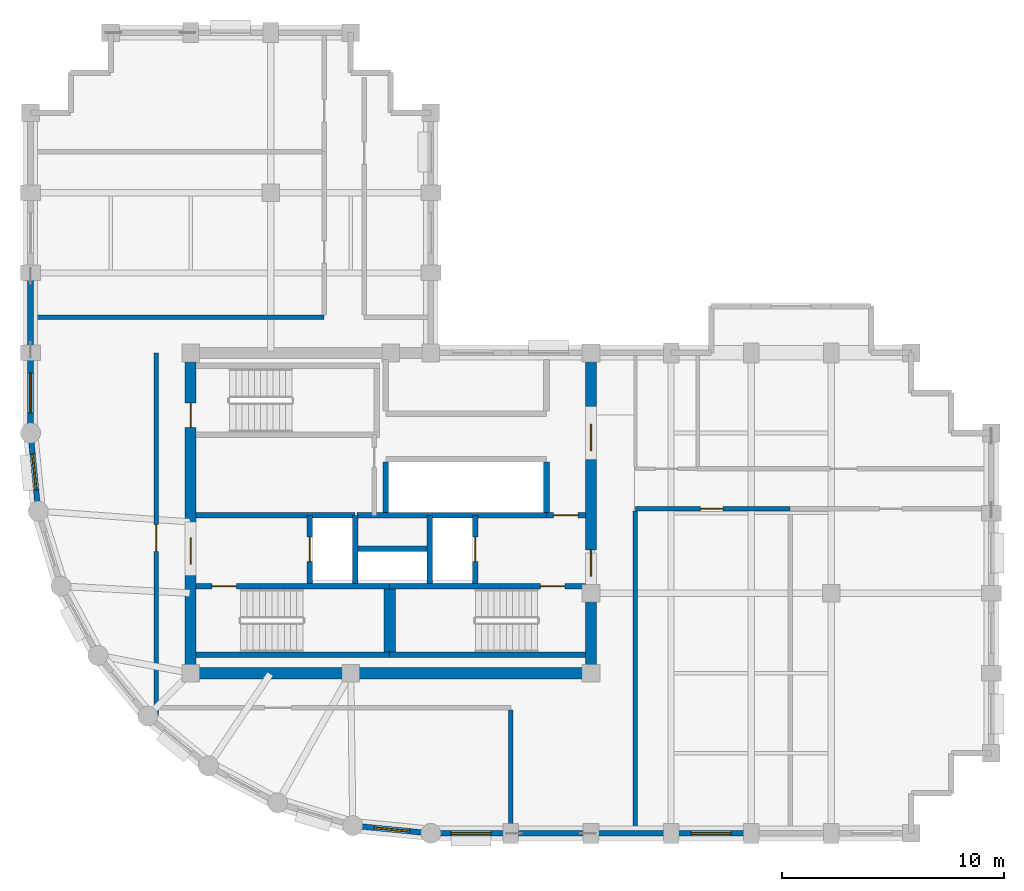
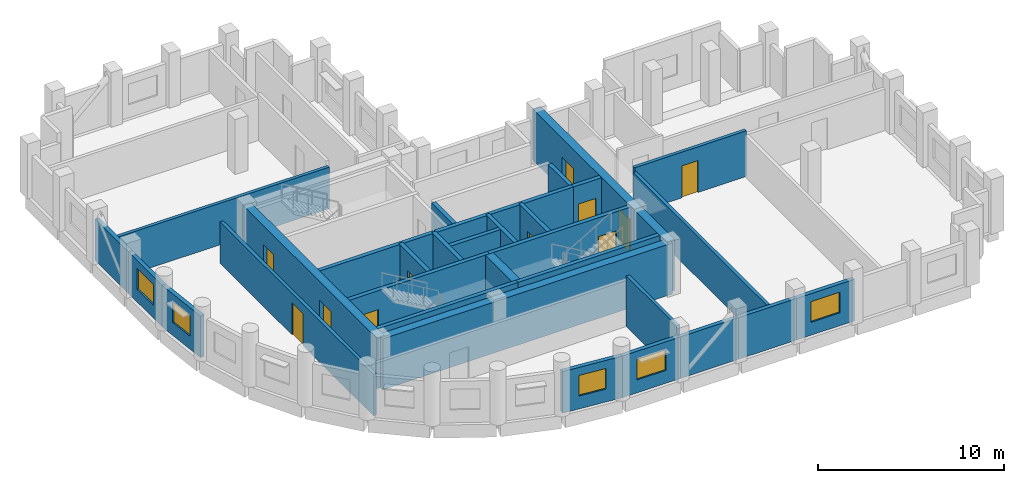
# One storey, part 3 of 7: 31 walls, 11 doors, 5 windows, 16 openings.
"""IFC4 building model written with IfcOpenShell, lengths in metres."""

from ifc_helpers import new_model, si_unit, direction, frame, frame_2d, origin, place, context, subcontext, project, spatial, rectangle, extrude, material, layer, layer_set, type_object, element, fill, save


model = new_model("IFC4")

# Units and contexts
model_context = context("Model", 3, precision=1e-05, world=origin(), true_north=direction((0.0, 1.0)))
body_context = subcontext(model_context, "Body", "Model", "MODEL_VIEW")
ifc_project = project(units=[si_unit("LENGTHUNIT", "METRE"), si_unit("AREAUNIT", "SQUARE_METRE"), si_unit("VOLUMEUNIT", "CUBIC_METRE"), si_unit("PLANEANGLEUNIT", "RADIAN"), si_unit("MASSUNIT", "GRAM", prefix="KILO")], contexts=[model_context])

# Site, building, storey
site_placement = place(None, origin())
site = spatial("IfcSite", under=ifc_project, at=site_placement, CompositionType="ELEMENT")
building_placement = place(site_placement, origin())
building = spatial("IfcBuilding", under=site, at=building_placement, Name="Solnavia Interchange Tower", CompositionType="ELEMENT")
storey_placement = place(building_placement, frame((0.0, 0.0, 213.800048828125)))
storey = spatial("IfcBuildingStorey", under=building, at=storey_placement, Name="L53", CompositionType="ELEMENT", Elevation=213.800048828125)

# Wall, opening, window
ifc_material_1 = material(Name="Concrete C40/50", Category="concrete")
ifc_layer_1 = layer(ifc_material_1, 0.25)
ifc_layer_set_1 = layer_set([ifc_layer_1], Name="Concrete C40/50")
wall_type_1 = type_object("IfcWallType", Name="Wall-ExtSpandrel-250", PredefinedType="STANDARD", material=ifc_layer_set_1)
wall_1_placement = place(storey_placement, frame((28.800048828125, 3.60009765625, 0.0), z_axis=(0.0, 0.0, 1.0), x_axis=(-1.0, 0.0, 0.0)))
wall_1 = element("IfcWall", 1, at=wall_1_placement, inside=storey, type_object=wall_type_1, Name="EXW-L53-01 Exterior precast spandrel wall", PredefinedType="STANDARD", context=body_context, shape_type="SweptSolid", body=[
    extrude(rectangle(XDim=3.60009765625, YDim=0.25, at=frame_2d((1.800048828125, 0.0))), origin(), (0.0, 0.0, 1.0), 2.72998046875),
])
opening_1_placement = place(wall_1_placement, frame((0.89990234375, 0.0, 0.85009765625)))
opening_1 = element("IfcOpeningElement", 2, at=opening_1_placement, cuts=wall_1, Name="Opening WIN-02", PredefinedType="OPENING", context=body_context, shape_type="SweptSolid", body=[
    extrude(rectangle(XDim=1.800048828125, YDim=1.35009765625, at=frame_2d((0.89990234375, 0.675048828125))), frame((0.0, 0.135009765625, 0.0), z_axis=(0.0, -1.0, 0.0), x_axis=(1.0, 0.0, 0.0)), (0.0, 0.0, 1.0), 0.27001953125),
])
ifc_material_2 = material(Name="Thermal-Break Aluminium & Low-E Glass", Category="aluminium")
window_type_1 = type_object("IfcWindowType", Name="Window-Ribbon-1800x1350", PartitioningType="SINGLE_PANEL", PredefinedType="WINDOW", material=ifc_material_2)
window_1_placement = place(opening_1_placement, origin())
window_1 = element("IfcWindow", 3, at=window_1_placement, inside=storey, type_object=window_type_1, Name="WIN-L53-01 Facade ribbon window", OverallHeight=1.35009765625, OverallWidth=1.800048828125, PartitioningType="SINGLE_PANEL", PredefinedType="WINDOW", context=body_context, shape_type="SweptSolid", body=[
    extrude(rectangle(XDim=1.800048828125, YDim=1.35009765625, at=frame_2d((0.89990234375, 0.675048828125))), frame((0.0, 0.030029296875, 0.0), z_axis=(0.0, -1.0, 0.0), x_axis=(1.0, 0.0, 0.0)), (0.0, 0.0, 1.0), 0.06005859375),
])
fill(opening_1, window_1)

# Walls
wall_2_placement = place(storey_placement, frame((32.39990234375, 3.60009765625, 0.0), z_axis=(0.0, 0.0, 1.0), x_axis=(-1.0, 0.0, 0.0)))
element("IfcWall", 4, at=wall_2_placement, inside=storey, type_object=wall_type_1, Name="EXW-L53-02 Exterior precast spandrel wall", PredefinedType="STANDARD", context=body_context, shape_type="SweptSolid", body=[
    extrude(rectangle(XDim=3.599853515625, YDim=0.25, at=frame_2d((1.7998046875, 0.0))), origin(), (0.0, 0.0, 1.0), 2.72998046875),
])
wall_3_placement = place(storey_placement, frame((36.0, 3.60009765625, 0.0), z_axis=(0.0, 0.0, 1.0), x_axis=(-1.0, 0.0, 0.0)))
element("IfcWall", 5, at=wall_3_placement, inside=storey, type_object=wall_type_1, Name="EXW-L53-03 Exterior precast spandrel wall", PredefinedType="STANDARD", context=body_context, shape_type="SweptSolid", body=[
    extrude(rectangle(XDim=3.60009765625, YDim=0.25, at=frame_2d((1.800048828125, 0.0))), origin(), (0.0, 0.0, 1.0), 2.72998046875),
])

# Wall, opening, window
wall_4_placement = place(storey_placement, frame((39.60009765625, 3.60009765625, 0.0), z_axis=(0.0, 0.0, 1.0), x_axis=(-1.0, 0.0, 0.0)))
wall_4 = element("IfcWall", 6, at=wall_4_placement, inside=storey, type_object=wall_type_1, Name="EXW-L53-04 Exterior precast spandrel wall", PredefinedType="STANDARD", context=body_context, shape_type="SweptSolid", body=[
    extrude(rectangle(XDim=3.60009765625, YDim=0.25, at=frame_2d((1.800048828125, 0.0))), origin(), (0.0, 0.0, 1.0), 2.72998046875),
])
opening_2_placement = place(wall_4_placement, frame((0.89990234375, 0.0, 0.85009765625)))
opening_2 = element("IfcOpeningElement", 7, at=opening_2_placement, cuts=wall_4, Name="Opening WIN-02", PredefinedType="OPENING", context=body_context, shape_type="SweptSolid", body=[
    extrude(rectangle(XDim=1.800048828125, YDim=1.35009765625, at=frame_2d((0.89990234375, 0.675048828125))), frame((0.0, 0.135009765625, 0.0), z_axis=(0.0, -1.0, 0.0), x_axis=(1.0, 0.0, 0.0)), (0.0, 0.0, 1.0), 0.27001953125),
])
window_2_placement = place(opening_2_placement, origin())
window_2 = element("IfcWindow", 8, at=window_2_placement, inside=storey, type_object=window_type_1, Name="WIN-L53-04 Facade ribbon window", OverallHeight=1.35009765625, OverallWidth=1.800048828125, PartitioningType="SINGLE_PANEL", PredefinedType="WINDOW", context=body_context, shape_type="SweptSolid", body=[
    extrude(rectangle(XDim=1.800048828125, YDim=1.35009765625, at=frame_2d((0.89990234375, 0.675048828125))), frame((0.0, 0.030029296875, 0.0), z_axis=(0.0, -1.0, 0.0), x_axis=(1.0, 0.0, 0.0)), (0.0, 0.0, 1.0), 0.06005859375),
])
fill(opening_2, window_2)

# Wall
wall_5_placement = place(storey_placement, frame((7.199951171875, 25.199951171875, 0.0), z_axis=(0.0, 0.0, 1.0), x_axis=(0.0, 1.0, 0.0)))
element("IfcWall", 9, at=wall_5_placement, inside=storey, type_object=wall_type_1, Name="EXW-L53-45 Exterior precast spandrel wall", PredefinedType="STANDARD", context=body_context, shape_type="SweptSolid", body=[
    extrude(rectangle(XDim=3.60009765625, YDim=0.25, at=frame_2d((1.800048828125, 0.0))), origin(), (0.0, 0.0, 1.0), 2.72998046875),
])

# Wall, opening, window
wall_6_placement = place(storey_placement, frame((7.199951171875, 21.60009765625, 0.0), z_axis=(0.0, 0.0, 1.0), x_axis=(0.0, 1.0, 0.0)))
wall_6 = element("IfcWall", 10, at=wall_6_placement, inside=storey, type_object=wall_type_1, Name="EXW-L53-46 Exterior precast spandrel wall", PredefinedType="STANDARD", context=body_context, shape_type="SweptSolid", body=[
    extrude(rectangle(XDim=3.599853515625, YDim=0.25, at=frame_2d((1.7998046875, 0.0))), origin(), (0.0, 0.0, 1.0), 2.72998046875),
])
opening_3_placement = place(wall_6_placement, frame((0.89990234375, 0.0, 0.85009765625)))
opening_3 = element("IfcOpeningElement", 11, at=opening_3_placement, cuts=wall_6, Name="Opening WIN-02", PredefinedType="OPENING", context=body_context, shape_type="SweptSolid", body=[
    extrude(rectangle(XDim=1.800048828125, YDim=1.35009765625, at=frame_2d((0.89990234375, 0.675048828125))), frame((0.0, 0.135009765625, 0.0), z_axis=(0.0, -1.0, 0.0), x_axis=(1.0, 0.0, 0.0)), (0.0, 0.0, 1.0), 0.27001953125),
])
window_3_placement = place(opening_3_placement, origin())
window_3 = element("IfcWindow", 12, at=window_3_placement, inside=storey, type_object=window_type_1, Name="WIN-L53-46 Facade ribbon window", OverallHeight=1.35009765625, OverallWidth=1.800048828125, PartitioningType="SINGLE_PANEL", PredefinedType="WINDOW", context=body_context, shape_type="SweptSolid", body=[
    extrude(rectangle(XDim=1.800048828125, YDim=1.35009765625, at=frame_2d((0.89990234375, 0.675048828125))), frame((0.0, 0.030029296875, 0.0), z_axis=(0.0, -1.0, 0.0), x_axis=(1.0, 0.0, 0.0)), (0.0, 0.0, 1.0), 0.06005859375),
])
fill(opening_3, window_3)

wall_7_placement = place(storey_placement, frame((7.5458984375, 18.087890625, 0.0), z_axis=(0.0, 0.0, 1.0), x_axis=(-0.09802417461, 0.995184033831, 0.0)))
wall_7 = element("IfcWall", 13, at=wall_7_placement, inside=storey, type_object=wall_type_1, Name="EXW-L53-47 Exterior precast spandrel wall", PredefinedType="STANDARD", context=body_context, shape_type="SweptSolid", body=[
    extrude(rectangle(XDim=3.529296875, YDim=0.25, at=frame_2d((1.7646484375, 0.0))), origin(), (0.0, 0.0, 1.0), 2.72998046875),
])
opening_4_placement = place(wall_7_placement, frame((0.965087890625, 0.0, 0.85009765625)))
opening_4 = element("IfcOpeningElement", 14, at=opening_4_placement, cuts=wall_7, Name="Opening WIN-04", PredefinedType="OPENING", context=body_context, shape_type="SweptSolid", body=[
    extrude(rectangle(XDim=1.60009765625, YDim=1.35009765625, at=frame_2d((0.800048828125, 0.675048828125))), frame((0.0, 0.135009765625, 0.0), z_axis=(0.0, -1.0, 0.0), x_axis=(1.0, 0.0, 0.0)), (0.0, 0.0, 1.0), 0.27001953125),
])
window_type_2 = type_object("IfcWindowType", Name="Window-Drum-1600x1350", PartitioningType="SINGLE_PANEL", PredefinedType="WINDOW", material=ifc_material_2)
window_4_placement = place(opening_4_placement, origin())
window_4 = element("IfcWindow", 15, at=window_4_placement, inside=storey, type_object=window_type_2, Name="WIN-L53-47 Facade ribbon window", OverallHeight=1.35009765625, OverallWidth=1.60009765625, PartitioningType="SINGLE_PANEL", PredefinedType="WINDOW", context=body_context, shape_type="SweptSolid", body=[
    extrude(rectangle(XDim=1.60009765625, YDim=1.35009765625, at=frame_2d((0.800048828125, 0.675048828125))), frame((0.0, 0.030029296875, 0.0), z_axis=(0.0, -1.0, 0.0), x_axis=(1.0, 0.0, 0.0)), (0.0, 0.0, 1.0), 0.06005859375),
])
fill(opening_4, window_4)

wall_8_placement = place(storey_placement, frame((25.199951171875, 3.60009765625, 0.0), z_axis=(0.0, 0.0, 1.0), x_axis=(-0.995183369056, 0.098030923459, 0.0)))
wall_8 = element("IfcWall", 16, at=wall_8_placement, inside=storey, type_object=wall_type_1, Name="EXW-L53-54 Exterior precast spandrel wall", PredefinedType="STANDARD", context=body_context, shape_type="SweptSolid", body=[
    extrude(rectangle(XDim=3.529052734375, YDim=0.25, at=frame_2d((1.7646484375, 0.0))), origin(), (0.0, 0.0, 1.0), 2.72998046875),
])
opening_5_placement = place(wall_8_placement, frame((0.965087890625, 0.0, 0.85009765625)))
opening_5 = element("IfcOpeningElement", 17, at=opening_5_placement, cuts=wall_8, Name="Opening WIN-04", PredefinedType="OPENING", context=body_context, shape_type="SweptSolid", body=[
    extrude(rectangle(XDim=1.60009765625, YDim=1.35009765625, at=frame_2d((0.800048828125, 0.675048828125))), frame((0.0, 0.135009765625, 0.0), z_axis=(0.0, -1.0, 0.0), x_axis=(1.0, 0.0, 0.0)), (0.0, 0.0, 1.0), 0.27001953125),
])
window_5_placement = place(opening_5_placement, origin())
window_5 = element("IfcWindow", 18, at=window_5_placement, inside=storey, type_object=window_type_2, Name="WIN-L53-54 Facade ribbon window", OverallHeight=1.35009765625, OverallWidth=1.60009765625, PartitioningType="SINGLE_PANEL", PredefinedType="WINDOW", context=body_context, shape_type="SweptSolid", body=[
    extrude(rectangle(XDim=1.60009765625, YDim=1.35009765625, at=frame_2d((0.800048828125, 0.675048828125))), frame((0.0, 0.030029296875, 0.0), z_axis=(0.0, -1.0, 0.0), x_axis=(1.0, 0.0, 0.0)), (0.0, 0.0, 1.0), 0.06005859375),
])
fill(opening_5, window_5)

# Wall, opening, door
ifc_layer_2 = layer(ifc_material_1, 0.199951171875)
ifc_layer_set_2 = layer_set([ifc_layer_2], Name="Concrete C40/50")
wall_type_2 = type_object("IfcWallType", Name="Wall-PlantFire-200", PredefinedType="PARTITIONING", material=ifc_layer_set_2)
wall_9_placement = place(storey_placement, frame((12.85009765625, 8.69091796875, 0.0), z_axis=(0.0, 0.0, 1.0), x_axis=(0.0, 1.0, 0.0)))
wall_9 = element("IfcWall", 19, at=wall_9_placement, inside=storey, type_object=wall_type_2, Name="PTW-L53-01 Interior partition wall", PredefinedType="PARTITIONING", context=body_context, shape_type="SweptSolid", body=[
    extrude(rectangle(XDim=16.509033203125, YDim=0.199951171875, at=frame_2d((8.25439453125, 0.0))), origin(), (0.0, 0.0, 1.0), 2.72998046875),
])
opening_6_placement = place(wall_9_placement, frame((7.590087890625, 0.0, 0.0)))
opening_6 = element("IfcOpeningElement", 20, at=opening_6_placement, cuts=wall_9, Name="Opening DR-02", PredefinedType="OPENING", context=body_context, shape_type="SweptSolid", body=[
    extrude(rectangle(XDim=1.199951171875, YDim=2.10009765625, at=frame_2d((0.60009765625, 1.050048828125))), frame((0.0, 0.10986328125, 0.0), z_axis=(0.0, -1.0, 0.0), x_axis=(1.0, 0.0, 0.0)), (0.0, 0.0, 1.0), 0.219970703125),
])
ifc_material_3 = material(Name="Steel Fire-Rated Vision-Panel Door", Category="steel")
door_type_1 = type_object("IfcDoorType", Name="Door-LobbyFire-1200x2100", OperationType="SINGLE_SWING_RIGHT", PredefinedType="DOOR", material=ifc_material_3)
door_1_placement = place(opening_6_placement, origin())
door_1 = element("IfcDoor", 21, at=door_1_placement, inside=storey, type_object=door_type_1, Name="DR-L53-01 Interior room door", OperationType="SINGLE_SWING_LEFT", OverallHeight=2.10009765625, OverallWidth=1.199951171875, PredefinedType="DOOR", context=body_context, shape_type="SweptSolid", body=[
    extrude(rectangle(XDim=1.199951171875, YDim=2.10009765625, at=frame_2d((0.60009765625, 1.050048828125))), frame((0.0, 0.02490234375, 0.0), z_axis=(0.0, -1.0, 0.0), x_axis=(1.0, 0.0, 0.0)), (0.0, 0.0, 1.0), 0.050048828125),
])
fill(opening_6, door_1)

# Wall
wall_10_placement = place(storey_placement, frame((28.800048828125, 9.14599609375, 0.0), z_axis=(0.0, 0.0, 1.0), x_axis=(0.0, -1.0, 0.0)))
element("IfcWall", 22, at=wall_10_placement, inside=storey, type_object=wall_type_2, Name="PTW-L53-04 Interior partition wall", PredefinedType="PARTITIONING", context=body_context, shape_type="SweptSolid", body=[
    extrude(rectangle(XDim=5.4169921875, YDim=0.199951171875, at=frame_2d((2.70849609375, 0.0))), origin(), (0.0, 0.0, 1.0), 3.3349609375),
])

# Wall, opening, door
wall_11_placement = place(storey_placement, frame((34.39990234375, 18.199951171875, 0.0), z_axis=(0.0, 0.0, 1.0), x_axis=(1.0, 0.0, 0.0)))
wall_11 = element("IfcWall", 23, at=wall_11_placement, inside=storey, type_object=wall_type_2, Name="PTW-L53-05 Interior partition wall", PredefinedType="PARTITIONING", context=body_context, shape_type="SweptSolid", body=[
    extrude(rectangle(XDim=6.9501953125, YDim=0.199951171875, at=frame_2d((3.47509765625, 0.0))), origin(), (0.0, 0.0, 1.0), 3.0),
])
opening_7_placement = place(wall_11_placement, frame((2.93505859375, 0.0, 0.0)))
opening_7 = element("IfcOpeningElement", 24, at=opening_7_placement, cuts=wall_11, Name="Opening DR-04", PredefinedType="OPENING", context=body_context, shape_type="SweptSolid", body=[
    extrude(rectangle(XDim=1.0, YDim=2.10009765625, at=frame_2d((0.5, 1.050048828125))), frame((0.0, 0.10986328125, 0.0), z_axis=(0.0, -1.0, 0.0), x_axis=(1.0, 0.0, 0.0)), (0.0, 0.0, 1.0), 0.219970703125),
])
ifc_material_4 = material(Name="Steel Fire-Rated Plant Door", Category="steel")
door_type_2 = type_object("IfcDoorType", Name="Door-PlantFire-1000x2100", OperationType="SINGLE_SWING_LEFT", PredefinedType="DOOR", material=ifc_material_4)
door_2_placement = place(opening_7_placement, origin())
door_2 = element("IfcDoor", 25, at=door_2_placement, inside=storey, type_object=door_type_2, Name="DR-L53-03 Interior room door", OperationType="SINGLE_SWING_LEFT", OverallHeight=2.10009765625, OverallWidth=1.0, PredefinedType="DOOR", context=body_context, shape_type="SweptSolid", body=[
    extrude(rectangle(XDim=1.0, YDim=2.10009765625, at=frame_2d((0.5, 1.050048828125))), frame((0.0, 0.02490234375, 0.0), z_axis=(0.0, -1.0, 0.0), x_axis=(1.0, 0.0, 0.0)), (0.0, 0.0, 1.0), 0.050048828125),
])
fill(opening_7, door_2)

# Walls
wall_12_placement = place(storey_placement, frame((34.39990234375, 3.72900390625, 0.0), z_axis=(0.0, 0.0, 1.0), x_axis=(0.0, 1.0, 0.0)))
element("IfcWall", 26, at=wall_12_placement, inside=storey, type_object=wall_type_2, Name="PTW-L53-07 Interior partition wall", PredefinedType="PARTITIONING", context=body_context, shape_type="SweptSolid", body=[
    extrude(rectangle(XDim=14.366943359375, YDim=0.199951171875, at=frame_2d((7.18359375, 0.0))), origin(), (0.0, 0.0, 1.0), 2.72998046875),
])
wall_13_placement = place(storey_placement, frame((7.3291015625, 26.800048828125, 0.0), z_axis=(0.0, 0.0, 1.0), x_axis=(1.0, 0.0, 0.0)))
element("IfcWall", 27, at=wall_13_placement, inside=storey, type_object=wall_type_2, Name="PTW-L53-13 Interior partition wall", PredefinedType="PARTITIONING", context=body_context, shape_type="SweptSolid", body=[
    extrude(rectangle(XDim=13.07080078125, YDim=0.199951171875, at=frame_2d((6.535400390625, 0.0))), origin(), (0.0, 0.0, 1.0), 2.72998046875),
])
ifc_layer_3 = layer(ifc_material_1, 0.25)
ifc_layer_set_3 = layer_set([ifc_layer_3], Name="Concrete C40/50")
wall_type_3 = type_object("IfcWallType", Name="Wall-ShaftCore-250", PredefinedType="SHEAR", material=ifc_layer_set_3)
wall_14_placement = place(storey_placement, frame((14.64990234375, 11.625, 0.0), z_axis=(0.0, 0.0, 1.0), x_axis=(1.0, 0.0, 0.0)))
element("IfcWall", 28, at=wall_14_placement, inside=storey, type_object=wall_type_3, Name="SHW-L53-ST1S Core shear wall", PredefinedType="SHEAR", context=body_context, shape_type="SweptSolid", body=[
    extrude(rectangle(XDim=8.7001953125, YDim=0.25, at=frame_2d((4.35009765625, 0.0))), origin(), (0.0, 0.0, 1.0), 3.349853515625),
])

# Wall, opening, door
wall_15_placement = place(storey_placement, frame((14.64990234375, 14.715087890625, 0.0), z_axis=(0.0, 0.0, 1.0), x_axis=(1.0, 0.0, 0.0)))
wall_15 = element("IfcWall", 29, at=wall_15_placement, inside=storey, type_object=wall_type_3, Name="SHW-L53-ST1N Core shear wall", PredefinedType="SHEAR", context=body_context, shape_type="SweptSolid", body=[
    extrude(rectangle(XDim=8.7001953125, YDim=0.25, at=frame_2d((4.35009765625, 0.0))), origin(), (0.0, 0.0, 1.0), 3.349853515625),
])
opening_8_placement = place(wall_15_placement, frame((0.705078125, 0.0, 0.0)))
opening_8 = element("IfcOpeningElement", 30, at=opening_8_placement, cuts=wall_15, Name="Opening DR-01", PredefinedType="OPENING", context=body_context, shape_type="SweptSolid", body=[
    extrude(rectangle(XDim=1.10009765625, YDim=2.10009765625, at=frame_2d((0.550048828125, 1.050048828125))), frame((0.0, 0.135009765625, 0.0), z_axis=(0.0, -1.0, 0.0), x_axis=(1.0, 0.0, 0.0)), (0.0, 0.0, 1.0), 0.27001953125),
])
ifc_material_5 = material(Name="Steel Fire-Rated Leaf & Frame", Category="steel")
door_type_3 = type_object("IfcDoorType", Name="Door-StairFire-1100x2100", OperationType="SINGLE_SWING_LEFT", PredefinedType="DOOR", material=ifc_material_5)
door_3_placement = place(opening_8_placement, origin())
door_3 = element("IfcDoor", 31, at=door_3_placement, inside=storey, type_object=door_type_3, Name="DR-L53-ST1 Core fire door", OperationType="SINGLE_SWING_LEFT", OverallHeight=2.10009765625, OverallWidth=1.10009765625, PredefinedType="DOOR", context=body_context, shape_type="SweptSolid", body=[
    extrude(rectangle(XDim=1.10009765625, YDim=2.10009765625, at=frame_2d((0.550048828125, 1.050048828125))), frame((0.0, 0.02490234375, 0.0), z_axis=(0.0, -1.0, 0.0), x_axis=(1.0, 0.0, 0.0)), (0.0, 0.0, 1.0), 0.050048828125),
])
fill(opening_8, door_3)

# Wall
wall_16_placement = place(storey_placement, frame((23.35009765625, 11.625, 0.0), z_axis=(0.0, 0.0, 1.0), x_axis=(1.0, 0.0, 0.0)))
element("IfcWall", 32, at=wall_16_placement, inside=storey, type_object=wall_type_3, Name="SHW-L53-ST2S Core shear wall", PredefinedType="SHEAR", context=body_context, shape_type="SweptSolid", body=[
    extrude(rectangle(XDim=8.7998046875, YDim=0.25, at=frame_2d((4.39990234375, 0.0))), origin(), (0.0, 0.0, 1.0), 3.349853515625),
])

# Wall, opening, door
wall_17_placement = place(storey_placement, frame((23.35009765625, 14.715087890625, 0.0), z_axis=(0.0, 0.0, 1.0), x_axis=(1.0, 0.0, 0.0)))
wall_17 = element("IfcWall", 33, at=wall_17_placement, inside=storey, type_object=wall_type_3, Name="SHW-L53-ST2N Core shear wall", PredefinedType="SHEAR", context=body_context, shape_type="SweptSolid", body=[
    extrude(rectangle(XDim=8.7998046875, YDim=0.25, at=frame_2d((4.39990234375, 0.0))), origin(), (0.0, 0.0, 1.0), 3.349853515625),
])
opening_9_placement = place(wall_17_placement, frame((6.77490234375, 0.0, 0.0)))
opening_9 = element("IfcOpeningElement", 34, at=opening_9_placement, cuts=wall_17, Name="Opening DR-01", PredefinedType="OPENING", context=body_context, shape_type="SweptSolid", body=[
    extrude(rectangle(XDim=1.10009765625, YDim=2.10009765625, at=frame_2d((0.550048828125, 1.050048828125))), frame((0.0, 0.135009765625, 0.0), z_axis=(0.0, -1.0, 0.0), x_axis=(1.0, 0.0, 0.0)), (0.0, 0.0, 1.0), 0.27001953125),
])
door_4_placement = place(opening_9_placement, origin())
door_4 = element("IfcDoor", 35, at=door_4_placement, inside=storey, type_object=door_type_3, Name="DR-L53-ST2 Core fire door", OperationType="SINGLE_SWING_LEFT", OverallHeight=2.10009765625, OverallWidth=1.10009765625, PredefinedType="DOOR", context=body_context, shape_type="SweptSolid", body=[
    extrude(rectangle(XDim=1.10009765625, YDim=2.10009765625, at=frame_2d((0.550048828125, 1.050048828125))), frame((0.0, 0.02490234375, 0.0), z_axis=(0.0, -1.0, 0.0), x_axis=(1.0, 0.0, 0.0)), (0.0, 0.0, 1.0), 0.050048828125),
])
fill(opening_9, door_4)

# Wall
ifc_layer_4 = layer(ifc_material_1, 0.25)
ifc_layer_set_4 = layer_set([ifc_layer_4], Name="Concrete C40/50")
wall_type_4 = type_object("IfcWallType", Name="Wall-ShaftPart-250", PredefinedType="PARTITIONING", material=ifc_layer_set_4)
wall_18_placement = place(storey_placement, frame((14.64990234375, 17.89990234375, 0.0), z_axis=(0.0, 0.0, 1.0), x_axis=(1.0, 0.0, 0.0)))
element("IfcWall", 36, at=wall_18_placement, inside=storey, type_object=wall_type_4, Name="SHW-L53-FFLW-N Core shaft wall", PredefinedType="PARTITIONING", context=body_context, shape_type="SweptSolid", body=[
    extrude(rectangle(XDim=7.150146484375, YDim=0.25, at=frame_2d((3.5751953125, 0.0))), origin(), (0.0, 0.0, 1.0), 3.3349609375),
])

# Wall, opening, door
wall_19_placement = place(storey_placement, frame((19.75, 14.840087890625, 0.0), z_axis=(0.0, 0.0, 1.0), x_axis=(0.0, 1.0, 0.0)))
wall_19 = element("IfcWall", 37, at=wall_19_placement, inside=storey, type_object=wall_type_4, Name="SHW-L53-FFL1-W Core shaft wall", PredefinedType="PARTITIONING", context=body_context, shape_type="SweptSolid", body=[
    extrude(rectangle(XDim=3.059814453125, YDim=0.25, at=frame_2d((1.52978515625, 0.0))), origin(), (0.0, 0.0, 1.0), 3.3349609375),
])
opening_10_placement = place(wall_19_placement, frame((0.97998046875, 0.0, 0.0)))
opening_10 = element("IfcOpeningElement", 38, at=opening_10_placement, cuts=wall_19, Name="Opening LD-01", PredefinedType="OPENING", context=body_context, shape_type="SweptSolid", body=[
    extrude(rectangle(XDim=1.10009765625, YDim=2.10009765625, at=frame_2d((0.550048828125, 1.050048828125))), frame((0.0, 0.135009765625, 0.0), z_axis=(0.0, -1.0, 0.0), x_axis=(1.0, 0.0, 0.0)), (0.0, 0.0, 1.0), 0.27001953125),
])
ifc_material_6 = material(Name="Brushed Stainless Steel Sliding Door", Category="steel")
door_type_4 = type_object("IfcDoorType", Name="Door-LiftLanding-1100x2100", OperationType="SLIDING_TO_LEFT", PredefinedType="DOOR", material=ifc_material_6)
door_5_placement = place(opening_10_placement, origin())
door_5 = element("IfcDoor", 39, at=door_5_placement, inside=storey, type_object=door_type_4, Name="LD-L53-FFL1 Lift landing sliding door", OperationType="SLIDING_TO_LEFT", OverallHeight=2.10009765625, OverallWidth=1.10009765625, PredefinedType="DOOR", context=body_context, shape_type="SweptSolid", body=[
    extrude(rectangle(XDim=1.10009765625, YDim=2.10009765625, at=frame_2d((0.550048828125, 1.050048828125))), frame((0.0, 0.02490234375, 0.0), z_axis=(0.0, -1.0, 0.0), x_axis=(1.0, 0.0, 0.0)), (0.0, 0.0, 1.0), 0.050048828125),
])
fill(opening_10, door_5)

# Walls
wall_20_placement = place(storey_placement, frame((21.800048828125, 14.840087890625, 0.0), z_axis=(0.0, 0.0, 1.0), x_axis=(0.0, 1.0, 0.0)))
element("IfcWall", 40, at=wall_20_placement, inside=storey, type_object=wall_type_4, Name="SHW-L53-FFL1-E Core shaft wall", PredefinedType="PARTITIONING", context=body_context, shape_type="SweptSolid", body=[
    extrude(rectangle(XDim=3.059814453125, YDim=0.25, at=frame_2d((1.52978515625, 0.0))), origin(), (0.0, 0.0, 1.0), 3.3349609375),
])
wall_21_placement = place(storey_placement, frame((21.8798828125, 17.89990234375, 0.0), z_axis=(0.0, 0.0, 1.0), x_axis=(1.0, 0.0, 0.0)))
element("IfcWall", 41, at=wall_21_placement, inside=storey, type_object=wall_type_4, Name="SHW-L53-FFLE-N1 Core shaft wall", PredefinedType="PARTITIONING", context=body_context, shape_type="SweptSolid", body=[
    extrude(rectangle(XDim=8.52001953125, YDim=0.25, at=frame_2d((4.260009765625, 0.0))), origin(), (0.0, 0.0, 1.0), 3.3349609375),
])

# Wall, opening, door
wall_22_placement = place(storey_placement, frame((30.39990234375, 17.89990234375, 0.0), z_axis=(0.0, 0.0, 1.0), x_axis=(1.0, 0.0, 0.0)))
wall_22 = element("IfcWall", 42, at=wall_22_placement, inside=storey, type_object=wall_type_4, Name="SHW-L53-FFLE-N2 Core shaft wall", PredefinedType="PARTITIONING", context=body_context, shape_type="SweptSolid", body=[
    extrude(rectangle(XDim=1.75, YDim=0.25, at=frame_2d((0.875, 0.0))), origin(), (0.0, 0.0, 1.0), 3.3349609375),
])
opening_11_placement = place(wall_22_placement, frame((0.320068359375, 0.0, 0.0)))
opening_11 = element("IfcOpeningElement", 43, at=opening_11_placement, cuts=wall_22, Name="Opening DR-01", PredefinedType="OPENING", context=body_context, shape_type="SweptSolid", body=[
    extrude(rectangle(XDim=1.10009765625, YDim=2.10009765625, at=frame_2d((0.550048828125, 1.050048828125))), frame((0.0, 0.135009765625, 0.0), z_axis=(0.0, -1.0, 0.0), x_axis=(1.0, 0.0, 0.0)), (0.0, 0.0, 1.0), 0.27001953125),
])
door_6_placement = place(opening_11_placement, origin())
door_6 = element("IfcDoor", 44, at=door_6_placement, inside=storey, type_object=door_type_3, Name="DR-L53-LLC Core fire door", OperationType="SINGLE_SWING_LEFT", OverallHeight=2.10009765625, OverallWidth=1.10009765625, PredefinedType="DOOR", context=body_context, shape_type="SweptSolid", body=[
    extrude(rectangle(XDim=1.10009765625, YDim=2.10009765625, at=frame_2d((0.550048828125, 1.050048828125))), frame((0.0, 0.02490234375, 0.0), z_axis=(0.0, -1.0, 0.0), x_axis=(1.0, 0.0, 0.0)), (0.0, 0.0, 1.0), 0.050048828125),
])
fill(opening_11, door_6)

# Wall
wall_23_placement = place(storey_placement, frame((25.14990234375, 14.840087890625, 0.0), z_axis=(0.0, 0.0, 1.0), x_axis=(0.0, 1.0, 0.0)))
element("IfcWall", 45, at=wall_23_placement, inside=storey, type_object=wall_type_4, Name="SHW-L53-FFL2-W Core shaft wall", PredefinedType="PARTITIONING", context=body_context, shape_type="SweptSolid", body=[
    extrude(rectangle(XDim=3.059814453125, YDim=0.25, at=frame_2d((1.52978515625, 0.0))), origin(), (0.0, 0.0, 1.0), 3.3349609375),
])

# Wall, opening, door
wall_24_placement = place(storey_placement, frame((27.199951171875, 14.840087890625, 0.0), z_axis=(0.0, 0.0, 1.0), x_axis=(0.0, 1.0, 0.0)))
wall_24 = element("IfcWall", 46, at=wall_24_placement, inside=storey, type_object=wall_type_4, Name="SHW-L53-FFL2-E Core shaft wall", PredefinedType="PARTITIONING", context=body_context, shape_type="SweptSolid", body=[
    extrude(rectangle(XDim=3.059814453125, YDim=0.25, at=frame_2d((1.52978515625, 0.0))), origin(), (0.0, 0.0, 1.0), 3.3349609375),
])
opening_12_placement = place(wall_24_placement, frame((0.97998046875, 0.0, 0.0)))
opening_12 = element("IfcOpeningElement", 47, at=opening_12_placement, cuts=wall_24, Name="Opening LD-01", PredefinedType="OPENING", context=body_context, shape_type="SweptSolid", body=[
    extrude(rectangle(XDim=1.10009765625, YDim=2.10009765625, at=frame_2d((0.550048828125, 1.050048828125))), frame((0.0, 0.135009765625, 0.0), z_axis=(0.0, -1.0, 0.0), x_axis=(1.0, 0.0, 0.0)), (0.0, 0.0, 1.0), 0.27001953125),
])
door_7_placement = place(opening_12_placement, origin())
door_7 = element("IfcDoor", 48, at=door_7_placement, inside=storey, type_object=door_type_4, Name="LD-L53-FFL2 Lift landing sliding door", OperationType="SLIDING_TO_LEFT", OverallHeight=2.10009765625, OverallWidth=1.10009765625, PredefinedType="DOOR", context=body_context, shape_type="SweptSolid", body=[
    extrude(rectangle(XDim=1.10009765625, YDim=2.10009765625, at=frame_2d((0.550048828125, 1.050048828125))), frame((0.0, 0.02490234375, 0.0), z_axis=(0.0, -1.0, 0.0), x_axis=(1.0, 0.0, 0.0)), (0.0, 0.0, 1.0), 0.050048828125),
])
fill(opening_12, door_7)

# Walls
wall_25_placement = place(storey_placement, frame((21.800048828125, 16.39990234375, 0.0), z_axis=(0.0, 0.0, 1.0), x_axis=(1.0, 0.0, 0.0)))
element("IfcWall", 49, at=wall_25_placement, inside=storey, type_object=wall_type_4, Name="SHW-L53-MEP-N Core shaft wall", PredefinedType="PARTITIONING", context=body_context, shape_type="SweptSolid", body=[
    extrude(rectangle(XDim=3.349853515625, YDim=0.25, at=frame_2d((1.6748046875, 0.0))), origin(), (0.0, 0.0, 1.0), 3.3349609375),
])
for number, where, z_axis, x_axis, name in (
    (50, (23.179931640625, 18.02490234375, 0.0), (0.0, 0.0, 1.0), (0.0, 1.0, 0.0), "SHW-L53-B2W Core shaft wall"),
    (51, (30.39990234375, 18.02490234375, 0.0), (0.0, 0.0, 1.0), (0.0, 1.0, 0.0), "SHW-L53-B2E Core shaft wall"),
):
    element("IfcWall", number, at=place(storey_placement, frame(where, z_axis=z_axis, x_axis=x_axis)), inside=storey, type_object=wall_type_4, Name=name, PredefinedType="PARTITIONING", context=body_context, shape_type="SweptSolid", body=[
        extrude(rectangle(XDim=2.27001953125, YDim=0.25, at=frame_2d((1.135009765625, 0.0))), origin(), (0.0, 0.0, 1.0), 3.3349609375),
    ])
ifc_material_7 = material(Name="Concrete C60/75", Category="concrete")
ifc_layer_5 = layer(ifc_material_7, 0.5)
ifc_layer_set_5 = layer_set([ifc_layer_5], Name="Concrete C60/75")
wall_type_5 = type_object("IfcWallType", Name="Wall-ShearCore-500", PredefinedType="SHEAR", material=ifc_layer_set_5)
wall_26_placement = place(storey_placement, frame((14.39990234375, 10.800048828125, 0.0), z_axis=(0.0, 0.0, 1.0), x_axis=(1.0, 0.0, 0.0)))
element("IfcWall", 52, at=wall_26_placement, inside=storey, type_object=wall_type_5, Name="CRW-L53-S Core shear wall", PredefinedType="SHEAR", context=body_context, shape_type="SweptSolid", body=[
    extrude(rectangle(XDim=18.0, YDim=0.5, at=frame_2d((9.0, 0.0))), origin(), (0.0, 0.0, 1.0), 3.349853515625),
])

# Wall, openings, doors
wall_27_placement = place(storey_placement, frame((14.39990234375, 10.800048828125, 0.0), z_axis=(0.0, 0.0, 1.0), x_axis=(0.0, 1.0, 0.0)))
wall_27 = element("IfcWall", 53, at=wall_27_placement, inside=storey, type_object=wall_type_5, Name="CRW-L53-W Core shear wall", PredefinedType="SHEAR", context=body_context, shape_type="SweptSolid", body=[
    extrude(rectangle(XDim=14.39990234375, YDim=0.5, at=frame_2d((7.199951171875, 0.0))), origin(), (0.0, 0.0, 1.0), 3.349853515625),
])
opening_13_placement = place(wall_27_placement, frame((11.050048828125, 0.0, 0.0)))
opening_13 = element("IfcOpeningElement", 54, at=opening_13_placement, cuts=wall_27, Name="Opening DR-01", PredefinedType="OPENING", context=body_context, shape_type="SweptSolid", body=[
    extrude(rectangle(XDim=1.10009765625, YDim=2.10009765625, at=frame_2d((0.550048828125, 1.050048828125))), frame((0.0, 0.260009765625, 0.0), z_axis=(0.0, -1.0, 0.0), x_axis=(1.0, 0.0, 0.0)), (0.0, 0.0, 1.0), 0.52001953125),
])
opening_14_placement = place(wall_27_placement, frame((4.89990234375, 0.0, 0.0)))
opening_14 = element("IfcOpeningElement", 55, at=opening_14_placement, cuts=wall_27, Name="Opening DR-02", PredefinedType="OPENING", context=body_context, shape_type="SweptSolid", body=[
    extrude(rectangle(XDim=1.199951171875, YDim=2.10009765625, at=frame_2d((0.60009765625, 1.050048828125))), frame((0.0, 0.260009765625, 0.0), z_axis=(0.0, -1.0, 0.0), x_axis=(1.0, 0.0, 0.0)), (0.0, 0.0, 1.0), 0.52001953125),
])
door_8_placement = place(opening_14_placement, origin())
door_8 = element("IfcDoor", 56, at=door_8_placement, inside=storey, type_object=door_type_1, Name="DR-L53-FFL1W Core fire door", OperationType="SINGLE_SWING_RIGHT", OverallHeight=2.10009765625, OverallWidth=1.199951171875, PredefinedType="DOOR", context=body_context, shape_type="SweptSolid", body=[
    extrude(rectangle(XDim=1.199951171875, YDim=2.10009765625, at=frame_2d((0.60009765625, 1.050048828125))), frame((0.0, 0.02490234375, 0.0), z_axis=(0.0, -1.0, 0.0), x_axis=(1.0, 0.0, 0.0)), (0.0, 0.0, 1.0), 0.050048828125),
])
fill(opening_14, door_8)
door_9_placement = place(opening_13_placement, origin())
door_9 = element("IfcDoor", 57, at=door_9_placement, inside=storey, type_object=door_type_3, Name="DR-L53-ST3 Core fire door", OperationType="SINGLE_SWING_RIGHT", OverallHeight=2.10009765625, OverallWidth=1.10009765625, PredefinedType="DOOR", context=body_context, shape_type="SweptSolid", body=[
    extrude(rectangle(XDim=1.10009765625, YDim=2.10009765625, at=frame_2d((0.550048828125, 1.050048828125))), frame((0.0, 0.02490234375, 0.0), z_axis=(0.0, -1.0, 0.0), x_axis=(1.0, 0.0, 0.0)), (0.0, 0.0, 1.0), 0.050048828125),
])
fill(opening_13, door_9)

wall_28_placement = place(storey_placement, frame((32.39990234375, 10.800048828125, 0.0), z_axis=(0.0, 0.0, 1.0), x_axis=(0.0, 1.0, 0.0)))
wall_28 = element("IfcWall", 58, at=wall_28_placement, inside=storey, type_object=wall_type_5, Name="CRW-L53-E Core shear wall", PredefinedType="SHEAR", context=body_context, shape_type="SweptSolid", body=[
    extrude(rectangle(XDim=14.39990234375, YDim=0.5, at=frame_2d((7.199951171875, 0.0))), origin(), (0.0, 0.0, 1.0), 3.349853515625),
])
opening_15_placement = place(wall_28_placement, frame((4.35009765625, 0.0, 0.0)))
opening_15 = element("IfcOpeningElement", 59, at=opening_15_placement, cuts=wall_28, Name="Opening DR-02", PredefinedType="OPENING", context=body_context, shape_type="SweptSolid", body=[
    extrude(rectangle(XDim=1.199951171875, YDim=2.10009765625, at=frame_2d((0.60009765625, 1.050048828125))), frame((0.0, 0.260009765625, 0.0), z_axis=(0.0, -1.0, 0.0), x_axis=(1.0, 0.0, 0.0)), (0.0, 0.0, 1.0), 0.52001953125),
])
opening_16_placement = place(wall_28_placement, frame((10.0, 0.0, 0.0)))
opening_16 = element("IfcOpeningElement", 60, at=opening_16_placement, cuts=wall_28, Name="Opening DR-02", PredefinedType="OPENING", context=body_context, shape_type="SweptSolid", body=[
    extrude(rectangle(XDim=1.199951171875, YDim=2.10009765625, at=frame_2d((0.60009765625, 1.050048828125))), frame((0.0, 0.260009765625, 0.0), z_axis=(0.0, -1.0, 0.0), x_axis=(1.0, 0.0, 0.0)), (0.0, 0.0, 1.0), 0.52001953125),
])
door_10_placement = place(opening_15_placement, origin())
door_10 = element("IfcDoor", 61, at=door_10_placement, inside=storey, type_object=door_type_1, Name="DR-L53-FFL2E Core fire door", OperationType="SINGLE_SWING_LEFT", OverallHeight=2.10009765625, OverallWidth=1.199951171875, PredefinedType="DOOR", context=body_context, shape_type="SweptSolid", body=[
    extrude(rectangle(XDim=1.199951171875, YDim=2.10009765625, at=frame_2d((0.60009765625, 1.050048828125))), frame((0.0, 0.02490234375, 0.0), z_axis=(0.0, -1.0, 0.0), x_axis=(1.0, 0.0, 0.0)), (0.0, 0.0, 1.0), 0.050048828125),
])
fill(opening_15, door_10)
door_11_placement = place(opening_16_placement, origin())
door_11 = element("IfcDoor", 62, at=door_11_placement, inside=storey, type_object=door_type_1, Name="DR-L53-LLE Core fire door", OperationType="SINGLE_SWING_RIGHT", OverallHeight=2.10009765625, OverallWidth=1.199951171875, PredefinedType="DOOR", context=body_context, shape_type="SweptSolid", body=[
    extrude(rectangle(XDim=1.199951171875, YDim=2.10009765625, at=frame_2d((0.60009765625, 1.050048828125))), frame((0.0, 0.02490234375, 0.0), z_axis=(0.0, -1.0, 0.0), x_axis=(1.0, 0.0, 0.0)), (0.0, 0.0, 1.0), 0.050048828125),
])
fill(opening_16, door_11)

# Wall
wall_29_placement = place(storey_placement, frame((23.35009765625, 11.75, 0.0), z_axis=(0.0, 0.0, 1.0), x_axis=(0.0, 1.0, 0.0)))
element("IfcWall", 63, at=wall_29_placement, inside=storey, type_object=wall_type_5, Name="SHW-L53-ST12M Core shear wall", PredefinedType="SHEAR", context=body_context, shape_type="SweptSolid", body=[
    extrude(rectangle(XDim=2.840087890625, YDim=0.5, at=frame_2d((1.419921875, 0.0))), origin(), (0.0, 0.0, 1.0), 3.349853515625),
])

save(model, "model.ifc")
